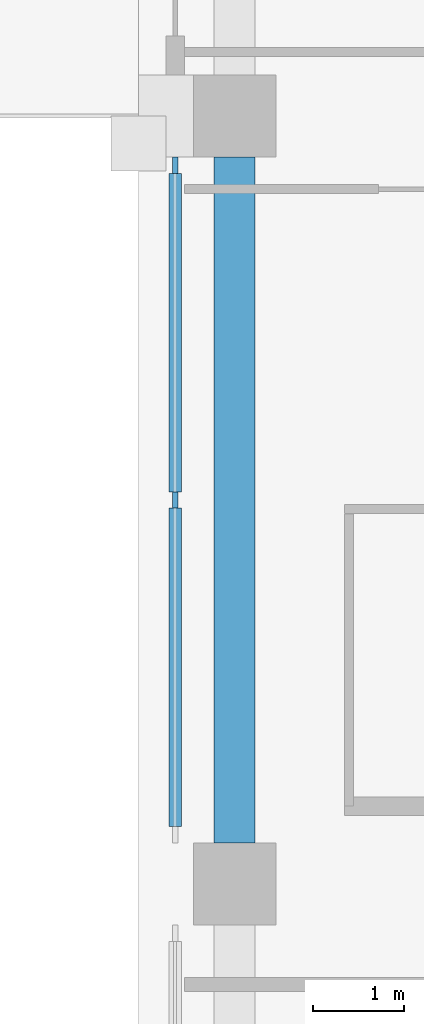
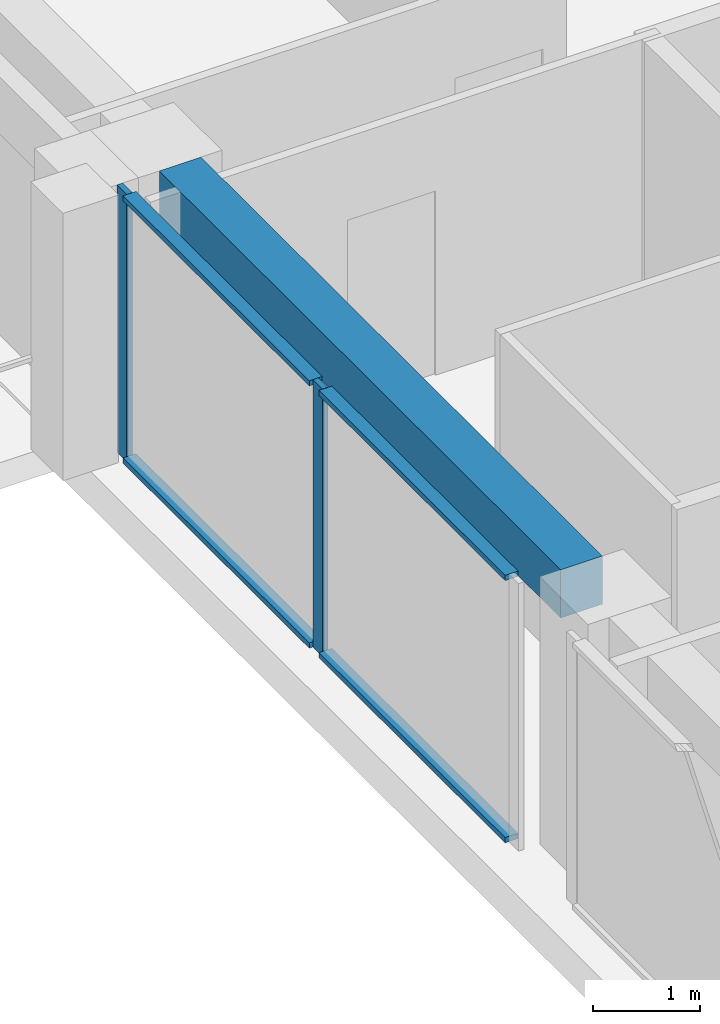
# One storey, part 3 of 15: 6 members, 1 beam, 1 element without a shape of its own.
"""IFC4 building model written with IfcOpenShell, lengths in metres."""

from ifc_helpers import new_model, si_unit, direction, frame, origin, origin_2d, place, context, subcontext, project, spatial, rectangle, extrude, material, material_profile, profile_set, type_object, element, aggregate, save


model = new_model("IFC4")

# Units and contexts
model_context = context("Model", 3, precision=1e-05, world=origin(), true_north=direction((0.0, 1.0)))
body_context = subcontext(model_context, "Body", "Model", "MODEL_VIEW")
ifc_project = project(units=[si_unit("LENGTHUNIT", "METRE"), si_unit("AREAUNIT", "SQUARE_METRE"), si_unit("VOLUMEUNIT", "CUBIC_METRE"), si_unit("PLANEANGLEUNIT", "RADIAN"), si_unit("MASSUNIT", "GRAM", prefix="KILO")], contexts=[model_context])

# Site, building, storey
site_placement = place(None, origin())
site = spatial("IfcSite", under=ifc_project, at=site_placement, CompositionType="ELEMENT")
building_placement = place(site_placement, origin())
building = spatial("IfcBuilding", under=site, at=building_placement, Name="Vermilion Ogive Tower", CompositionType="ELEMENT")
storey_placement = place(building_placement, frame((0.0, 0.0, 237.25)))
storey = spatial("IfcBuildingStorey", under=building, at=storey_placement, Name="L62", CompositionType="ELEMENT", Elevation=237.25)

# Curtain wall, members
ifc_material_1 = material(Name="Low-iron laminated glazing in aluminium frame", Category="aluminium")
curtain_wall_type = type_object("IfcCurtainWallType", Name="Curtain wall CW7", PredefinedType="NOTDEFINED", material=ifc_material_1)
curtain_wall_placement = place(storey_placement, origin())
curtain_wall = element("IfcCurtainWall", 1, at=curtain_wall_placement, inside=storey, type_object=curtain_wall_type, Name="Glazed skin W2", PredefinedType="NOTDEFINED")
ifc_material_2 = material(Name="Aluminium mullion", Category="aluminium")
ifc_material_profile_1 = material_profile(ifc_material_2, rectangle(XDim=0.06005859375, YDim=0.179931640625, at=origin_2d()), Name="AL 60x180")
ifc_profile_set_1 = profile_set([ifc_material_profile_1], Name="Aluminium mullion")
member_type_1 = type_object("IfcMemberType", Name="CW7 mullion 60x180", PredefinedType="MULLION", material=ifc_profile_set_1)
member_1_placement = place(storey_placement, frame((-25.85009765625, 3.659912109375, 0.0), z_axis=(0.0, 0.0, 1.0), x_axis=(1.0, 0.0, 0.0)))
member_1 = element("IfcMember", 2, at=member_1_placement, type_object=member_type_1, Name="CW7-W2 mullion 1", PredefinedType="MULLION", context=body_context, shape_type="SweptSolid", body=[
    extrude(rectangle(XDim=0.06005859375, YDim=0.179931640625, at=origin_2d()), origin(), (0.0, 0.0, 1.0), 3.050048828125),
])
member_2_placement = place(storey_placement, frame((-25.85009765625, 0.0, 0.0), z_axis=(0.0, 0.0, 1.0), x_axis=(1.0, 0.0, 0.0)))
member_2 = element("IfcMember", 3, at=member_2_placement, type_object=member_type_1, Name="CW7-W2 mullion 2", PredefinedType="MULLION", context=body_context, shape_type="SweptSolid", body=[
    extrude(rectangle(XDim=0.06005859375, YDim=0.179931640625, at=origin_2d()), origin(), (0.0, 0.0, 1.0), 3.050048828125),
])
ifc_material_3 = material(Name="Aluminium transom", Category="aluminium")
ifc_material_profile_2 = material_profile(ifc_material_3, rectangle(XDim=0.139892578125, YDim=0.06005859375, at=origin_2d()), Name="AL 60x140")
ifc_profile_set_2 = profile_set([ifc_material_profile_2], Name="Aluminium transom")
member_type_2 = type_object("IfcMemberType", Name="CW7 transom 60x140", PredefinedType="USERDEFINED", material=ifc_profile_set_2)
member_3_placement = place(storey_placement, frame((-25.85009765625, 3.570068359375, 0.030029296875), z_axis=(0.0, -1.0, 0.0), x_axis=(1.0, 0.0, 0.0)))
member_3 = element("IfcMember", 4, at=member_3_placement, type_object=member_type_2, Name="CW7-W2 transom 1.1", ObjectType="TRANSOM", PredefinedType="USERDEFINED", context=body_context, shape_type="SweptSolid", body=[
    extrude(rectangle(XDim=0.139892578125, YDim=0.06005859375, at=origin_2d()), origin(), (0.0, 0.0, 1.0), 3.47998046875),
])
member_4_placement = place(storey_placement, frame((-25.85009765625, 3.570068359375, 3.02001953125), z_axis=(0.0, -1.0, 0.0), x_axis=(1.0, 0.0, 0.0)))
member_4 = element("IfcMember", 5, at=member_4_placement, type_object=member_type_2, Name="CW7-W2 transom 1.2", ObjectType="TRANSOM", PredefinedType="USERDEFINED", context=body_context, shape_type="SweptSolid", body=[
    extrude(rectangle(XDim=0.139892578125, YDim=0.06005859375, at=origin_2d()), origin(), (0.0, 0.0, 1.0), 3.47998046875),
])
member_5_placement = place(storey_placement, frame((-25.85009765625, -0.090087890625, 0.030029296875), z_axis=(0.0, -1.0, 0.0), x_axis=(1.0, 0.0, 0.0)))
member_5 = element("IfcMember", 6, at=member_5_placement, type_object=member_type_2, Name="CW7-W2 transom 2.1", ObjectType="TRANSOM", PredefinedType="USERDEFINED", context=body_context, shape_type="SweptSolid", body=[
    extrude(rectangle(XDim=0.139892578125, YDim=0.06005859375, at=origin_2d()), origin(), (0.0, 0.0, 1.0), 3.47998046875),
])
member_6_placement = place(storey_placement, frame((-25.85009765625, -0.090087890625, 3.02001953125), z_axis=(0.0, -1.0, 0.0), x_axis=(1.0, 0.0, 0.0)))
member_6 = element("IfcMember", 7, at=member_6_placement, type_object=member_type_2, Name="CW7-W2 transom 2.2", ObjectType="TRANSOM", PredefinedType="USERDEFINED", context=body_context, shape_type="SweptSolid", body=[
    extrude(rectangle(XDim=0.139892578125, YDim=0.06005859375, at=origin_2d()), origin(), (0.0, 0.0, 1.0), 3.47998046875),
])
aggregate(curtain_wall, [member_1, member_2, member_3, member_4, member_5, member_6])

# Beam
ifc_material_4 = material(Name="Concrete B45", Category="concrete")
ifc_material_profile_3 = material_profile(ifc_material_4, rectangle(XDim=0.449951171875, YDim=0.550048828125, at=origin_2d()), Name="450 x 550")
ifc_profile_set_3 = profile_set([ifc_material_profile_3], Name="Concrete B45")
beam_type = type_object("IfcBeamType", Name="Edge beam 450 x 550 B45", PredefinedType="BEAM", material=ifc_profile_set_3)
beam_placement = place(storey_placement, frame((-25.199951171875, 3.75, 2.77490234375), z_axis=(0.0, -1.0, 0.0), x_axis=(1.0, 0.0, 0.0)))
element("IfcBeam", 8, at=beam_placement, inside=storey, type_object=beam_type, Name="L62-EB-15", PredefinedType="BEAM", context=body_context, shape_type="SweptSolid", body=[
    extrude(rectangle(XDim=0.449951171875, YDim=0.550048828125, at=origin_2d()), origin(), (0.0, 0.0, 1.0), 7.5),
])

save(model, "model.ifc")
